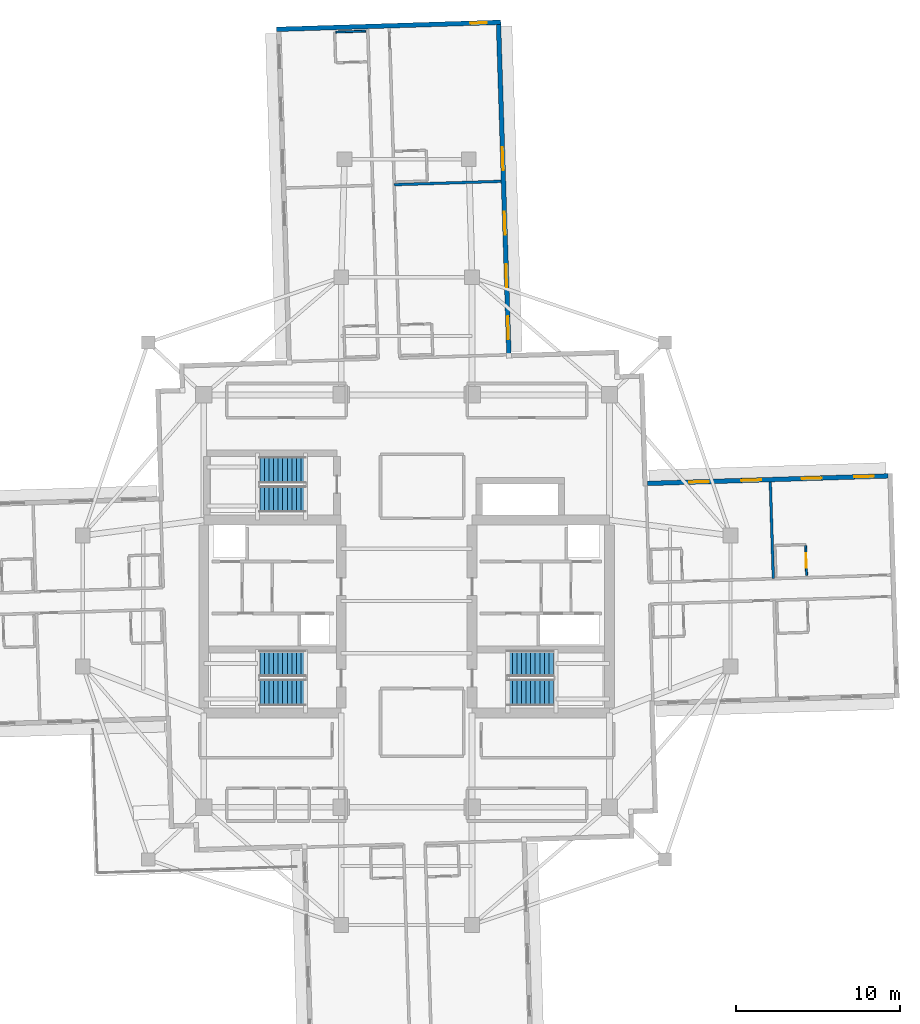
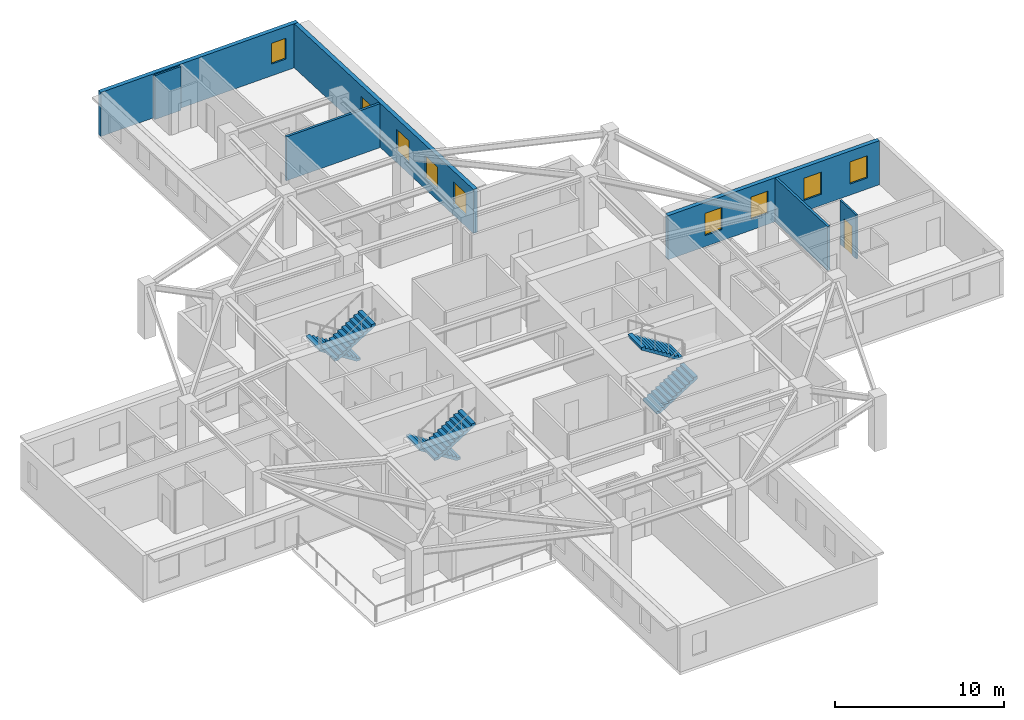
# One storey, part 8 of 12: 9 windows, 7 walls, 6 stair flights, 1 door, 10 openings, 3 elements without a shape of their own.
"""IFC4 building model written with IfcOpenShell, lengths in metres."""

from ifc_helpers import new_model, si_unit, direction, frame, frame_2d, origin, place, context, subcontext, project, spatial, polyline, rectangle, outline, extrude, material, layer, layer_set, type_object, element, fill, aggregate, save


model = new_model("IFC4")

# Units and contexts
model_context = context("Model", 3, precision=1e-05, world=origin(), true_north=direction((0.0, 1.0)))
body_context = subcontext(model_context, "Body", "Model", "MODEL_VIEW")
ifc_project = project(units=[si_unit("LENGTHUNIT", "METRE"), si_unit("AREAUNIT", "SQUARE_METRE"), si_unit("VOLUMEUNIT", "CUBIC_METRE"), si_unit("PLANEANGLEUNIT", "RADIAN"), si_unit("MASSUNIT", "GRAM", prefix="KILO")], contexts=[model_context])

# Site, building, storey
site_placement = place(None, origin())
site = spatial("IfcSite", under=ifc_project, at=site_placement, CompositionType="ELEMENT")
building_placement = place(site_placement, origin())
building = spatial("IfcBuilding", under=site, at=building_placement, Name="Qingluan Cross Belvedere", CompositionType="ELEMENT")
storey_placement = place(building_placement, frame((0.0, 0.0, 216.89990234375)))
storey = spatial("IfcBuildingStorey", under=building, at=storey_placement, Name="L54", CompositionType="ELEMENT", Elevation=216.89990234375)

# Walls
ifc_material_1 = material(Name="Gypsum plasterboard on steel stud acoustic partition", Category="steel")
ifc_layer_1 = layer(ifc_material_1, 0.159912109375, Name="CorridorPartition_160")
ifc_layer_set_1 = layer_set([ifc_layer_1], Name="Gypsum plasterboard on steel stud acoustic partition")
wall_type_1 = type_object("IfcWallType", Name="CorridorPartition_160", PredefinedType="PARTITIONING", material=ifc_layer_set_1)
wall_1_placement = place(storey_placement, frame((22.414306640625, 1.36474609375, 0.0), z_axis=(0.0, 0.0, 1.0), x_axis=(-0.031426852351, 0.999506054485, 0.0)))
element("IfcWall", 1, at=wall_1_placement, inside=storey, type_object=wall_type_1, Name="Partition L54:E:d0_0", PredefinedType="PARTITIONING", context=body_context, shape_type="SweptSolid", body=[
    extrude(rectangle(XDim=5.911865234375, YDim=0.159912109375, at=frame_2d((2.9560546875, 0.0))), origin(), (0.0, 0.0, 1.0), 3.170166015625),
])
wall_2_placement = place(storey_placement, frame((-0.759765625, 25.45068359375, 0.0), z_axis=(0.0, 0.0, 1.0), x_axis=(0.999505857476, 0.031433117423, 0.0)))
element("IfcWall", 2, at=wall_2_placement, inside=storey, type_object=wall_type_1, Name="Partition L54:N:d0_0", PredefinedType="PARTITIONING", context=body_context, shape_type="SweptSolid", body=[
    extrude(rectangle(XDim=6.531982421875, YDim=0.159912109375, at=frame_2d((3.26611328125, 0.0))), origin(), (0.0, 0.0, 1.0), 3.170166015625),
])

# Wall, opening, door
ifc_material_2 = material(Name="Moisture-resistant gypsum board lining")
ifc_layer_2 = layer(ifc_material_2, 0.1201171875, Name="EnsuiteWetPartition_120")
ifc_layer_set_2 = layer_set([ifc_layer_2], Name="Moisture-resistant gypsum board lining")
wall_type_2 = type_object("IfcWallType", Name="EnsuiteWetPartition_120", PredefinedType="PARTITIONING", material=ifc_layer_set_2)
wall_3_placement = place(storey_placement, frame((24.44873046875, 1.568603515625, 0.0), z_axis=(0.0, 0.0, 1.0), x_axis=(-0.031389704724, 0.999507221803, 0.0)))
wall_3 = element("IfcWall", 3, at=wall_3_placement, inside=storey, type_object=wall_type_2, Name="Partition L54:E:bs0_1", PredefinedType="PARTITIONING", context=body_context, shape_type="SweptSolid", body=[
    extrude(rectangle(XDim=1.820068359375, YDim=0.1201171875, at=frame_2d((0.91015625, 0.0))), origin(), (0.0, 0.0, 1.0), 3.170166015625),
])
opening_1_placement = place(wall_3_placement, frame((0.469970703125, 0.0, 0.0)))
opening_1 = element("IfcOpeningElement", 4, at=opening_1_placement, cuts=wall_3, Name="Opening BD-09", PredefinedType="OPENING", context=body_context, shape_type="SweptSolid", body=[
    extrude(rectangle(XDim=0.8798828125, YDim=2.10009765625, at=frame_2d((0.43994140625, 1.050048828125))), frame((0.0, 0.070068359375, 0.0), z_axis=(0.0, -1.0, 0.0), x_axis=(1.0, 0.0, 0.0)), (0.0, 0.0, 1.0), 0.14013671875),
])
ifc_material_3 = material(Name="Moisture-sealed timber en-suite door", Category="wood")
door_type = type_object("IfcDoorType", Name="BathroomDoor_880", OperationType="NOTDEFINED", PredefinedType="DOOR", material=ifc_material_3)
door_placement = place(opening_1_placement, origin())
door = element("IfcDoor", 5, at=door_placement, inside=storey, type_object=door_type, Name="Bathroom door 5402", OperationType="SINGLE_SWING_LEFT", OverallHeight=2.10009765625, OverallWidth=0.8798828125, PredefinedType="DOOR", context=body_context, shape_type="SweptSolid", body=[
    extrude(rectangle(XDim=0.8798828125, YDim=2.10009765625, at=frame_2d((0.43994140625, 1.050048828125))), frame((0.0, 0.02490234375, 0.0), z_axis=(0.0, -1.0, 0.0), x_axis=(1.0, 0.0, 0.0)), (0.0, 0.0, 1.0), 0.050048828125),
])
fill(opening_1, door)

# Wall
wall_4_placement = place(storey_placement, frame((-4.334716796875, 34.781005859375, 0.0), z_axis=(0.0, 0.0, 1.0), x_axis=(0.999507353951, 0.031385496622, 0.0)))
element("IfcWall", 6, at=wall_4_placement, inside=storey, type_object=wall_type_2, Name="Partition L54:N:bw1_1", PredefinedType="PARTITIONING", context=body_context, shape_type="SweptSolid", body=[
    extrude(rectangle(XDim=1.8203125, YDim=0.1201171875, at=frame_2d((0.91015625, 0.0))), origin(), (0.0, 0.0, 1.0), 3.170166015625),
])

# Wall, openings, windows
ifc_material_4 = material(Name="Precast concrete C45", Category="concrete")
ifc_layer_3 = layer(ifc_material_4, 0.280029296875, Name="PrecastFacadeWall_280")
ifc_layer_set_3 = layer_set([ifc_layer_3], Name="Precast concrete C45")
wall_type_3 = type_object("IfcWallType", Name="PrecastFacadeWall_280", PredefinedType="STANDARD", material=ifc_layer_set_3)
wall_5_placement = place(storey_placement, frame((29.414306640625, 7.647705078125, 0.0), z_axis=(0.0, 0.0, 1.0), x_axis=(-0.999506714454, -0.031405855522, 0.0)))
wall_5 = element("IfcWall", 7, at=wall_5_placement, inside=storey, type_object=wall_type_3, Name="Facade wall L54-EB", PredefinedType="STANDARD", context=body_context, shape_type="SweptSolid", body=[
    extrude(rectangle(XDim=14.7001953125, YDim=0.280029296875, at=frame_2d((7.35009765625, 0.0))), origin(), (0.0, 0.0, 1.0), 3.18017578125),
])
opening_2_placement = place(wall_5_placement, frame((0.85009765625, 0.0, 0.800048828125)))
opening_2 = element("IfcOpeningElement", 8, at=opening_2_placement, cuts=wall_5, Name="Opening W-02", PredefinedType="OPENING", context=body_context, shape_type="SweptSolid", body=[
    extrude(rectangle(XDim=1.199951171875, YDim=1.60009765625, at=frame_2d((0.60009765625, 0.800048828125))), frame((0.0, 0.14990234375, 0.0), z_axis=(0.0, -1.0, 0.0), x_axis=(1.0, 0.0, 0.0)), (0.0, 0.0, 1.0), 0.300048828125),
])
opening_3_placement = place(wall_5_placement, frame((4.050048828125, 0.0, 0.800048828125)))
opening_3 = element("IfcOpeningElement", 9, at=opening_3_placement, cuts=wall_5, Name="Opening W-02", PredefinedType="OPENING", context=body_context, shape_type="SweptSolid", body=[
    extrude(rectangle(XDim=1.199951171875, YDim=1.60009765625, at=frame_2d((0.60009765625, 0.800048828125))), frame((0.0, 0.14990234375, 0.0), z_axis=(0.0, -1.0, 0.0), x_axis=(1.0, 0.0, 0.0)), (0.0, 0.0, 1.0), 0.300048828125),
])
opening_4_placement = place(wall_5_placement, frame((7.75, 0.0, 0.800048828125)))
opening_4 = element("IfcOpeningElement", 10, at=opening_4_placement, cuts=wall_5, Name="Opening W-02", PredefinedType="OPENING", context=body_context, shape_type="SweptSolid", body=[
    extrude(rectangle(XDim=1.199951171875, YDim=1.60009765625, at=frame_2d((0.60009765625, 0.800048828125))), frame((0.0, 0.14990234375, 0.0), z_axis=(0.0, -1.0, 0.0), x_axis=(1.0, 0.0, 0.0)), (0.0, 0.0, 1.0), 0.300048828125),
])
opening_5_placement = place(wall_5_placement, frame((10.949951171875, 0.0, 0.800048828125)))
opening_5 = element("IfcOpeningElement", 11, at=opening_5_placement, cuts=wall_5, Name="Opening W-02", PredefinedType="OPENING", context=body_context, shape_type="SweptSolid", body=[
    extrude(rectangle(XDim=1.199951171875, YDim=1.60009765625, at=frame_2d((0.60009765625, 0.800048828125))), frame((0.0, 0.14990234375, 0.0), z_axis=(0.0, -1.0, 0.0), x_axis=(1.0, 0.0, 0.0)), (0.0, 0.0, 1.0), 0.300048828125),
])
ifc_material_5 = material(Name="Thermally broken triple Low-E glass in aluminium frame", Category="aluminium")
window_type_1 = type_object("IfcWindowType", Name="TriRibbonWin_1200x1600", PartitioningType="SINGLE_PANEL", PredefinedType="WINDOW", material=ifc_material_5)
window_1_placement = place(opening_2_placement, origin())
window_1 = element("IfcWindow", 12, at=window_1_placement, inside=storey, type_object=window_type_1, Name="Ribbon window L54-EB-1", OverallHeight=1.60009765625, OverallWidth=1.199951171875, PartitioningType="SINGLE_PANEL", PredefinedType="WINDOW", context=body_context, shape_type="SweptSolid", body=[
    extrude(rectangle(XDim=1.199951171875, YDim=1.60009765625, at=frame_2d((0.60009765625, 0.800048828125))), frame((0.0, 0.030029296875, 0.0), z_axis=(0.0, -1.0, 0.0), x_axis=(1.0, 0.0, 0.0)), (0.0, 0.0, 1.0), 0.06005859375),
])
fill(opening_2, window_1)
window_2_placement = place(opening_3_placement, origin())
window_2 = element("IfcWindow", 13, at=window_2_placement, inside=storey, type_object=window_type_1, Name="Ribbon window L54-EB-2", OverallHeight=1.60009765625, OverallWidth=1.199951171875, PartitioningType="SINGLE_PANEL", PredefinedType="WINDOW", context=body_context, shape_type="SweptSolid", body=[
    extrude(rectangle(XDim=1.199951171875, YDim=1.60009765625, at=frame_2d((0.60009765625, 0.800048828125))), frame((0.0, 0.030029296875, 0.0), z_axis=(0.0, -1.0, 0.0), x_axis=(1.0, 0.0, 0.0)), (0.0, 0.0, 1.0), 0.06005859375),
])
fill(opening_3, window_2)
window_3_placement = place(opening_4_placement, origin())
window_3 = element("IfcWindow", 14, at=window_3_placement, inside=storey, type_object=window_type_1, Name="Ribbon window L54-EB-3", OverallHeight=1.60009765625, OverallWidth=1.199951171875, PartitioningType="SINGLE_PANEL", PredefinedType="WINDOW", context=body_context, shape_type="SweptSolid", body=[
    extrude(rectangle(XDim=1.199951171875, YDim=1.60009765625, at=frame_2d((0.60009765625, 0.800048828125))), frame((0.0, 0.030029296875, 0.0), z_axis=(0.0, -1.0, 0.0), x_axis=(1.0, 0.0, 0.0)), (0.0, 0.0, 1.0), 0.06005859375),
])
fill(opening_4, window_3)
window_4_placement = place(opening_5_placement, origin())
window_4 = element("IfcWindow", 15, at=window_4_placement, inside=storey, type_object=window_type_1, Name="Ribbon window L54-EB-4", OverallHeight=1.60009765625, OverallWidth=1.199951171875, PartitioningType="SINGLE_PANEL", PredefinedType="WINDOW", context=body_context, shape_type="SweptSolid", body=[
    extrude(rectangle(XDim=1.199951171875, YDim=1.60009765625, at=frame_2d((0.60009765625, 0.800048828125))), frame((0.0, 0.030029296875, 0.0), z_axis=(0.0, -1.0, 0.0), x_axis=(1.0, 0.0, 0.0)), (0.0, 0.0, 1.0), 0.06005859375),
])
fill(opening_5, window_4)

wall_6_placement = place(storey_placement, frame((6.247314453125, 15.143798828125, 0.0), z_axis=(0.0, 0.0, 1.0), x_axis=(-0.031398187845, 0.999506955354, 0.0)))
wall_6 = element("IfcWall", 16, at=wall_6_placement, inside=storey, type_object=wall_type_3, Name="Facade wall L54-NA", PredefinedType="STANDARD", context=body_context, shape_type="SweptSolid", body=[
    extrude(rectangle(XDim=20.10009765625, YDim=0.280029296875, at=frame_2d((10.050048828125, 0.0))), origin(), (0.0, 0.0, 1.0), 3.18017578125),
])
opening_6_placement = place(wall_6_placement, frame((0.85009765625, 0.0, 0.800048828125)))
opening_6 = element("IfcOpeningElement", 17, at=opening_6_placement, cuts=wall_6, Name="Opening W-01", PredefinedType="OPENING", context=body_context, shape_type="SweptSolid", body=[
    extrude(rectangle(XDim=1.39990234375, YDim=1.60009765625, at=frame_2d((0.699951171875, 0.800048828125))), frame((0.0, 0.14990234375, 0.0), z_axis=(0.0, -1.0, 0.0), x_axis=(1.0, 0.0, 0.0)), (0.0, 0.0, 1.0), 0.300048828125),
])
opening_7_placement = place(wall_6_placement, frame((4.050048828125, 0.0, 0.800048828125)))
opening_7 = element("IfcOpeningElement", 18, at=opening_7_placement, cuts=wall_6, Name="Opening W-01", PredefinedType="OPENING", context=body_context, shape_type="SweptSolid", body=[
    extrude(rectangle(XDim=1.39990234375, YDim=1.60009765625, at=frame_2d((0.699951171875, 0.800048828125))), frame((0.0, 0.14990234375, 0.0), z_axis=(0.0, -1.0, 0.0), x_axis=(1.0, 0.0, 0.0)), (0.0, 0.0, 1.0), 0.300048828125),
])
opening_8_placement = place(wall_6_placement, frame((7.25, 0.0, 0.800048828125)))
opening_8 = element("IfcOpeningElement", 19, at=opening_8_placement, cuts=wall_6, Name="Opening W-01", PredefinedType="OPENING", context=body_context, shape_type="SweptSolid", body=[
    extrude(rectangle(XDim=1.39990234375, YDim=1.60009765625, at=frame_2d((0.699951171875, 0.800048828125))), frame((0.0, 0.14990234375, 0.0), z_axis=(0.0, -1.0, 0.0), x_axis=(1.0, 0.0, 0.0)), (0.0, 0.0, 1.0), 0.300048828125),
])
opening_9_placement = place(wall_6_placement, frame((11.199951171875, 0.0, 0.800048828125)))
opening_9 = element("IfcOpeningElement", 20, at=opening_9_placement, cuts=wall_6, Name="Opening W-01", PredefinedType="OPENING", context=body_context, shape_type="SweptSolid", body=[
    extrude(rectangle(XDim=1.39990234375, YDim=1.60009765625, at=frame_2d((0.699951171875, 0.800048828125))), frame((0.0, 0.14990234375, 0.0), z_axis=(0.0, -1.0, 0.0), x_axis=(1.0, 0.0, 0.0)), (0.0, 0.0, 1.0), 0.300048828125),
])
ifc_material_6 = material(Name="Thermally broken triple Low-E glass in aluminium frame", Category="aluminium")
window_type_2 = type_object("IfcWindowType", Name="TriRibbonWin_1400x1600", PartitioningType="SINGLE_PANEL", PredefinedType="WINDOW", material=ifc_material_6)
window_5_placement = place(opening_6_placement, origin())
window_5 = element("IfcWindow", 21, at=window_5_placement, inside=storey, type_object=window_type_2, Name="Ribbon window L54-NA-1", OverallHeight=1.60009765625, OverallWidth=1.39990234375, PartitioningType="SINGLE_PANEL", PredefinedType="WINDOW", context=body_context, shape_type="SweptSolid", body=[
    extrude(rectangle(XDim=1.39990234375, YDim=1.60009765625, at=frame_2d((0.699951171875, 0.800048828125))), frame((0.0, 0.030029296875, 0.0), z_axis=(0.0, -1.0, 0.0), x_axis=(1.0, 0.0, 0.0)), (0.0, 0.0, 1.0), 0.06005859375),
])
fill(opening_6, window_5)
window_6_placement = place(opening_7_placement, origin())
window_6 = element("IfcWindow", 22, at=window_6_placement, inside=storey, type_object=window_type_2, Name="Ribbon window L54-NA-2", OverallHeight=1.60009765625, OverallWidth=1.39990234375, PartitioningType="SINGLE_PANEL", PredefinedType="WINDOW", context=body_context, shape_type="SweptSolid", body=[
    extrude(rectangle(XDim=1.39990234375, YDim=1.60009765625, at=frame_2d((0.699951171875, 0.800048828125))), frame((0.0, 0.030029296875, 0.0), z_axis=(0.0, -1.0, 0.0), x_axis=(1.0, 0.0, 0.0)), (0.0, 0.0, 1.0), 0.06005859375),
])
fill(opening_7, window_6)
window_7_placement = place(opening_8_placement, origin())
window_7 = element("IfcWindow", 23, at=window_7_placement, inside=storey, type_object=window_type_2, Name="Ribbon window L54-NA-3", OverallHeight=1.60009765625, OverallWidth=1.39990234375, PartitioningType="SINGLE_PANEL", PredefinedType="WINDOW", context=body_context, shape_type="SweptSolid", body=[
    extrude(rectangle(XDim=1.39990234375, YDim=1.60009765625, at=frame_2d((0.699951171875, 0.800048828125))), frame((0.0, 0.030029296875, 0.0), z_axis=(0.0, -1.0, 0.0), x_axis=(1.0, 0.0, 0.0)), (0.0, 0.0, 1.0), 0.06005859375),
])
fill(opening_8, window_7)
window_8_placement = place(opening_9_placement, origin())
window_8 = element("IfcWindow", 24, at=window_8_placement, inside=storey, type_object=window_type_2, Name="Ribbon window L54-NA-4", OverallHeight=1.60009765625, OverallWidth=1.39990234375, PartitioningType="SINGLE_PANEL", PredefinedType="WINDOW", context=body_context, shape_type="SweptSolid", body=[
    extrude(rectangle(XDim=1.39990234375, YDim=1.60009765625, at=frame_2d((0.699951171875, 0.800048828125))), frame((0.0, 0.030029296875, 0.0), z_axis=(0.0, -1.0, 0.0), x_axis=(1.0, 0.0, 0.0)), (0.0, 0.0, 1.0), 0.06005859375),
])
fill(opening_9, window_8)

# Wall, opening, window
wall_7_placement = place(storey_placement, frame((5.751708984375, 35.378173828125, 0.0), z_axis=(0.0, 0.0, 1.0), x_axis=(-0.999506679556, -0.031406966164, 0.0)))
wall_7 = element("IfcWall", 25, at=wall_7_placement, inside=storey, type_object=wall_type_3, Name="Arm tip precast facade wall L54-N", PredefinedType="STANDARD", context=body_context, shape_type="SweptSolid", body=[
    extrude(rectangle(XDim=13.72021484375, YDim=0.280029296875, at=frame_2d((6.860107421875, 0.0))), origin(), (0.0, 0.0, 1.0), 3.18017578125),
])
opening_10_placement = place(wall_7_placement, frame((0.85009765625, 0.0, 0.85009765625)))
opening_10 = element("IfcOpeningElement", 26, at=opening_10_placement, cuts=wall_7, Name="Opening W-03", PredefinedType="OPENING", context=body_context, shape_type="SweptSolid", body=[
    extrude(rectangle(XDim=1.0, YDim=1.5, at=frame_2d((0.5, 0.75))), frame((0.0, 0.14990234375, 0.0), z_axis=(0.0, -1.0, 0.0), x_axis=(1.0, 0.0, 0.0)), (0.0, 0.0, 1.0), 0.300048828125),
])
ifc_material_7 = material(Name="Thermally broken triple Low-E glass in aluminium frame", Category="aluminium")
window_type_3 = type_object("IfcWindowType", Name="TriApexWin_1000x1500", PartitioningType="SINGLE_PANEL", PredefinedType="WINDOW", material=ifc_material_7)
window_9_placement = place(opening_10_placement, origin())
window_9 = element("IfcWindow", 27, at=window_9_placement, inside=storey, type_object=window_type_3, Name="Arm tip triangular window L54-N", OverallHeight=1.5, OverallWidth=1.0, PartitioningType="SINGLE_PANEL", PredefinedType="WINDOW", context=body_context, shape_type="SweptSolid", body=[
    extrude(rectangle(XDim=1.0, YDim=1.5, at=frame_2d((0.5, 0.75))), frame((0.0, 0.030029296875, 0.0), z_axis=(0.0, -1.0, 0.0), x_axis=(1.0, 0.0, 0.0)), (0.0, 0.0, 1.0), 0.06005859375),
])
fill(opening_10, window_9)

# Stair, stair flights
ifc_material_8 = material(Name="Concrete C40", Category="concrete")
stair_type = type_object("IfcStairType", Name="CoreDoglegStair_1620", PredefinedType="HALF_TURN_STAIR", material=ifc_material_8)
stair_1_placement = place(storey_placement, origin())
stair_1 = element("IfcStair", 28, at=stair_1_placement, inside=storey, type_object=stair_type, Name="L54 ST1", PredefinedType="HALF_TURN_STAIR")
ifc_material_9 = material(Name="Concrete C40", Category="concrete")
ifc_layer_4 = layer(ifc_material_9, 0.179931640625, Name="StairFlight_RC180")
ifc_layer_set_4 = layer_set([ifc_layer_4], Name="Concrete C40")
stair_flight_type = type_object("IfcStairFlightType", Name="StairFlight_RC180", PredefinedType="STRAIGHT", material=ifc_layer_set_4)
stair_flight_1_placement = place(storey_placement, frame((-6.179931640625, -3.81005859375, 0.0), z_axis=(0.0, 0.0, 1.0), x_axis=(-1.0, 0.0, 0.0)))
stair_flight_1 = element("IfcStairFlight", 29, at=stair_flight_1_placement, type_object=stair_flight_type, Name="ST1 flight 1", NumberOfRisers=11, NumberOfTreads=10, PredefinedType="STRAIGHT", RiserHeight=0.177272727, TreadLength=0.28, context=body_context, shape_type="SweptSolid", body=[
    extrude(outline(polyline([(0.0, 0.0), (0.0, 0.17724609375), (0.280029296875, 0.17724609375), (0.280029296875, 0.3544921875), (0.56005859375, 0.3544921875), (0.56005859375, 0.53173828125), (0.840087890625, 0.53173828125), (0.840087890625, 0.708984375), (1.1201171875, 0.708984375), (1.1201171875, 0.886474609375), (1.39990234375, 0.886474609375), (1.39990234375, 1.063720703125), (1.679931640625, 1.063720703125), (1.679931640625, 1.240966796875), (1.9599609375, 1.240966796875), (1.9599609375, 1.418212890625), (2.239990234375, 1.418212890625), (2.239990234375, 1.595458984375), (2.52001953125, 1.595458984375), (2.52001953125, 1.772705078125), (2.800048828125, 1.772705078125), (2.800048828125, 1.949951171875), (2.800048828125, 1.59521484375), (0.2802734375, 0.0), (0.0, 0.0)])), frame((0.0, 0.81005859375, 0.0), z_axis=(0.0, -1.0, 0.0), x_axis=(1.0, 0.0, 0.0)), (0.0, 0.0, 1.0), 1.6201171875),
])
stair_flight_2_placement = place(storey_placement, frame((-8.97998046875, -5.590087890625, 1.9501953125), z_axis=(0.0, 0.0, 1.0), x_axis=(1.0, 0.0, 0.0)))
stair_flight_2 = element("IfcStairFlight", 30, at=stair_flight_2_placement, type_object=stair_flight_type, Name="ST1 flight 2", NumberOfRisers=11, NumberOfTreads=10, PredefinedType="STRAIGHT", RiserHeight=0.177272727, TreadLength=0.28, context=body_context, shape_type="SweptSolid", body=[
    extrude(outline(polyline([(0.0, 0.0), (0.0, 0.17724609375), (0.280029296875, 0.17724609375), (0.280029296875, 0.3544921875), (0.56005859375, 0.3544921875), (0.56005859375, 0.53173828125), (0.840087890625, 0.53173828125), (0.840087890625, 0.708984375), (1.1201171875, 0.708984375), (1.1201171875, 0.886474609375), (1.39990234375, 0.886474609375), (1.39990234375, 1.063720703125), (1.679931640625, 1.063720703125), (1.679931640625, 1.240966796875), (1.9599609375, 1.240966796875), (1.9599609375, 1.418212890625), (2.239990234375, 1.418212890625), (2.239990234375, 1.595458984375), (2.52001953125, 1.595458984375), (2.52001953125, 1.772705078125), (2.800048828125, 1.772705078125), (2.800048828125, 1.949951171875), (2.800048828125, 1.59521484375), (0.2802734375, 0.0), (0.0, 0.0)])), frame((0.0, 0.81005859375, 0.0), z_axis=(0.0, -1.0, 0.0), x_axis=(1.0, 0.0, 0.0)), (0.0, 0.0, 1.0), 1.6201171875),
])
aggregate(stair_1, [stair_flight_1, stair_flight_2])

stair_2_placement = place(storey_placement, origin())
stair_2 = element("IfcStair", 31, at=stair_2_placement, inside=storey, type_object=stair_type, Name="L54 ST2", PredefinedType="HALF_TURN_STAIR")
stair_flight_3_placement = place(storey_placement, frame((6.179931640625, -5.590087890625, 0.0), z_axis=(0.0, 0.0, 1.0), x_axis=(1.0, 0.0, 0.0)))
stair_flight_3 = element("IfcStairFlight", 32, at=stair_flight_3_placement, type_object=stair_flight_type, Name="ST2 flight 1", NumberOfRisers=11, NumberOfTreads=10, PredefinedType="STRAIGHT", RiserHeight=0.177272727, TreadLength=0.28, context=body_context, shape_type="SweptSolid", body=[
    extrude(outline(polyline([(0.0, 0.0), (0.0, 0.17724609375), (0.280029296875, 0.17724609375), (0.280029296875, 0.3544921875), (0.56005859375, 0.3544921875), (0.56005859375, 0.53173828125), (0.840087890625, 0.53173828125), (0.840087890625, 0.708984375), (1.1201171875, 0.708984375), (1.1201171875, 0.886474609375), (1.39990234375, 0.886474609375), (1.39990234375, 1.063720703125), (1.679931640625, 1.063720703125), (1.679931640625, 1.240966796875), (1.9599609375, 1.240966796875), (1.9599609375, 1.418212890625), (2.239990234375, 1.418212890625), (2.239990234375, 1.595458984375), (2.52001953125, 1.595458984375), (2.52001953125, 1.772705078125), (2.800048828125, 1.772705078125), (2.800048828125, 1.949951171875), (2.800048828125, 1.59521484375), (0.2802734375, 0.0), (0.0, 0.0)])), frame((0.0, 0.81005859375, 0.0), z_axis=(0.0, -1.0, 0.0), x_axis=(1.0, 0.0, 0.0)), (0.0, 0.0, 1.0), 1.6201171875),
])
stair_flight_4_placement = place(storey_placement, frame((8.97998046875, -3.81005859375, 1.9501953125), z_axis=(0.0, 0.0, 1.0), x_axis=(-1.0, 0.0, 0.0)))
stair_flight_4 = element("IfcStairFlight", 33, at=stair_flight_4_placement, type_object=stair_flight_type, Name="ST2 flight 2", NumberOfRisers=11, NumberOfTreads=10, PredefinedType="STRAIGHT", RiserHeight=0.177272727, TreadLength=0.28, context=body_context, shape_type="SweptSolid", body=[
    extrude(outline(polyline([(0.0, 0.0), (0.0, 0.17724609375), (0.280029296875, 0.17724609375), (0.280029296875, 0.3544921875), (0.56005859375, 0.3544921875), (0.56005859375, 0.53173828125), (0.840087890625, 0.53173828125), (0.840087890625, 0.708984375), (1.1201171875, 0.708984375), (1.1201171875, 0.886474609375), (1.39990234375, 0.886474609375), (1.39990234375, 1.063720703125), (1.679931640625, 1.063720703125), (1.679931640625, 1.240966796875), (1.9599609375, 1.240966796875), (1.9599609375, 1.418212890625), (2.239990234375, 1.418212890625), (2.239990234375, 1.595458984375), (2.52001953125, 1.595458984375), (2.52001953125, 1.772705078125), (2.800048828125, 1.772705078125), (2.800048828125, 1.949951171875), (2.800048828125, 1.59521484375), (0.2802734375, 0.0), (0.0, 0.0)])), frame((0.0, 0.81005859375, 0.0), z_axis=(0.0, -1.0, 0.0), x_axis=(1.0, 0.0, 0.0)), (0.0, 0.0, 1.0), 1.6201171875),
])
aggregate(stair_2, [stair_flight_3, stair_flight_4])

stair_3_placement = place(storey_placement, origin())
stair_3 = element("IfcStair", 34, at=stair_3_placement, inside=storey, type_object=stair_type, Name="L54 ST3", PredefinedType="HALF_TURN_STAIR")
stair_flight_5_placement = place(storey_placement, frame((-6.179931640625, 8.010009765625, 0.0), z_axis=(0.0, 0.0, 1.0), x_axis=(-1.0, 0.0, 0.0)))
stair_flight_5 = element("IfcStairFlight", 35, at=stair_flight_5_placement, type_object=stair_flight_type, Name="ST3 flight 1", NumberOfRisers=11, NumberOfTreads=10, PredefinedType="STRAIGHT", RiserHeight=0.177272727, TreadLength=0.28, context=body_context, shape_type="SweptSolid", body=[
    extrude(outline(polyline([(0.0, 0.0), (0.0, 0.17724609375), (0.280029296875, 0.17724609375), (0.280029296875, 0.3544921875), (0.56005859375, 0.3544921875), (0.56005859375, 0.53173828125), (0.840087890625, 0.53173828125), (0.840087890625, 0.708984375), (1.1201171875, 0.708984375), (1.1201171875, 0.886474609375), (1.39990234375, 0.886474609375), (1.39990234375, 1.063720703125), (1.679931640625, 1.063720703125), (1.679931640625, 1.240966796875), (1.9599609375, 1.240966796875), (1.9599609375, 1.418212890625), (2.239990234375, 1.418212890625), (2.239990234375, 1.595458984375), (2.52001953125, 1.595458984375), (2.52001953125, 1.772705078125), (2.800048828125, 1.772705078125), (2.800048828125, 1.949951171875), (2.800048828125, 1.59521484375), (0.2802734375, 0.0), (0.0, 0.0)])), frame((0.0, 0.81005859375, 0.0), z_axis=(0.0, -1.0, 0.0), x_axis=(1.0, 0.0, 0.0)), (0.0, 0.0, 1.0), 1.6201171875),
])
stair_flight_6_placement = place(storey_placement, frame((-8.97998046875, 6.22998046875, 1.9501953125), z_axis=(0.0, 0.0, 1.0), x_axis=(1.0, 0.0, 0.0)))
stair_flight_6 = element("IfcStairFlight", 36, at=stair_flight_6_placement, type_object=stair_flight_type, Name="ST3 flight 2", NumberOfRisers=11, NumberOfTreads=10, PredefinedType="STRAIGHT", RiserHeight=0.177272727, TreadLength=0.28, context=body_context, shape_type="SweptSolid", body=[
    extrude(outline(polyline([(0.0, 0.0), (0.0, 0.17724609375), (0.280029296875, 0.17724609375), (0.280029296875, 0.3544921875), (0.56005859375, 0.3544921875), (0.56005859375, 0.53173828125), (0.840087890625, 0.53173828125), (0.840087890625, 0.708984375), (1.1201171875, 0.708984375), (1.1201171875, 0.886474609375), (1.39990234375, 0.886474609375), (1.39990234375, 1.063720703125), (1.679931640625, 1.063720703125), (1.679931640625, 1.240966796875), (1.9599609375, 1.240966796875), (1.9599609375, 1.418212890625), (2.239990234375, 1.418212890625), (2.239990234375, 1.595458984375), (2.52001953125, 1.595458984375), (2.52001953125, 1.772705078125), (2.800048828125, 1.772705078125), (2.800048828125, 1.949951171875), (2.800048828125, 1.59521484375), (0.2802734375, 0.0), (0.0, 0.0)])), frame((0.0, 0.81005859375, 0.0), z_axis=(0.0, -1.0, 0.0), x_axis=(1.0, 0.0, 0.0)), (0.0, 0.0, 1.0), 1.6201171875),
])
aggregate(stair_3, [stair_flight_5, stair_flight_6])

save(model, "model.ifc")
